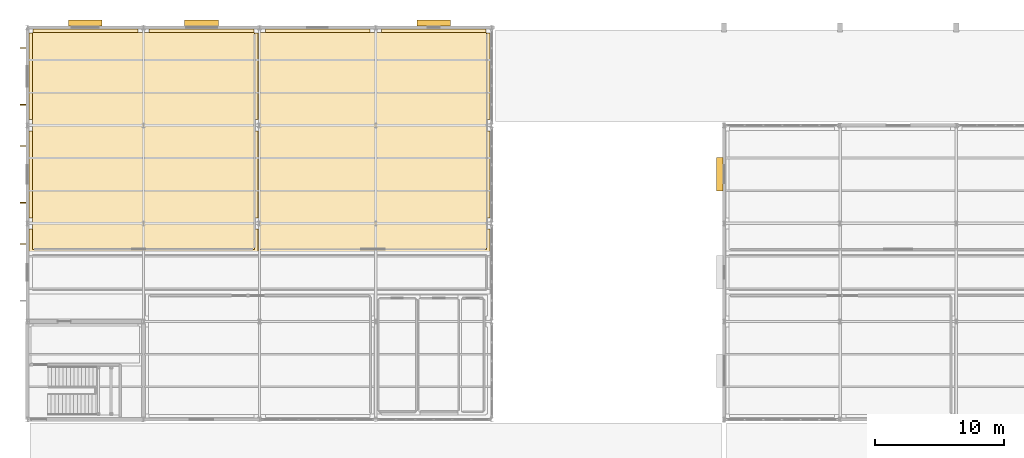
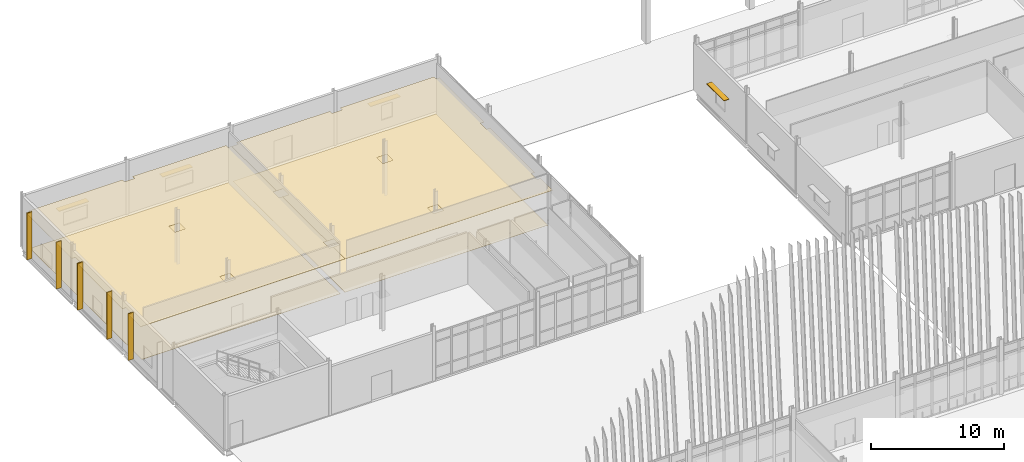
# One storey, part 157 of 161: 9 shading devices, 4 coverings.
"""IFC4 building model written with IfcOpenShell, lengths in metres."""

from ifc_helpers import new_model, si_unit, direction, frame, origin, origin_2d, place, context, subcontext, project, spatial, polyline, rectangle, outline, extrude, material, layer, layer_set, type_object, element, save


model = new_model("IFC4")

# Units and contexts
model_context = context("Model", 3, precision=1e-05, world=origin(), true_north=direction((0.0, 1.0)))
body_context = subcontext(model_context, "Body", "Model", "MODEL_VIEW")
ifc_project = project(units=[si_unit("LENGTHUNIT", "METRE"), si_unit("AREAUNIT", "SQUARE_METRE"), si_unit("VOLUMEUNIT", "CUBIC_METRE"), si_unit("PLANEANGLEUNIT", "RADIAN"), si_unit("MASSUNIT", "GRAM", prefix="KILO")], contexts=[model_context])

# Site, building, storey
site_placement = place(None, origin())
site = spatial("IfcSite", under=ifc_project, at=site_placement, CompositionType="ELEMENT")
building_placement = place(site_placement, origin())
building = spatial("IfcBuilding", under=site, at=building_placement, Name="Caisbarro Railhouse Central Library", CompositionType="ELEMENT")
storey_placement = place(building_placement, origin())
storey = spatial("IfcBuildingStorey", under=building, at=storey_placement, Name="L00", CompositionType="ELEMENT", Elevation=0.0)

# Coverings
ifc_material_1 = material(Name="Perforated mineral-fibre acoustic ceiling tile")
ifc_layer_1 = layer(ifc_material_1, 0.01806640625, Name="Perforated mineral-fibre acoustic ceiling tile")
ifc_layer_set_1 = layer_set([ifc_layer_1], Name="Perforated mineral-fibre acoustic ceiling tile")
covering_type_1 = type_object("IfcCoveringType", Name="COV-CL01", PredefinedType="CEILING", material=ifc_layer_set_1)
covering_1_placement = place(storey_placement, frame((0.0, 0.0, 3.25)))
element("IfcCovering", 1, at=covering_1_placement, inside=storey, type_object=covering_type_1, Name="CL01 acoustic ceiling Storytelling Amphitheatre Room", PredefinedType="CEILING", context=body_context, shape_type="SweptSolid", body=[
    extrude(outline(polyline([(17.739990234375, 113.56005859375), (18.43994140625, 113.56005859375), (18.43994140625, 113.860107421875), (26.56005859375, 113.860107421875), (26.56005859375, 113.56005859375), (27.43994140625, 113.56005859375), (27.43994140625, 113.860107421875), (35.56005859375, 113.860107421875), (35.56005859375, 113.56005859375), (35.860107421875, 113.56005859375), (35.860107421875, 106.840087890625), (35.56005859375, 106.840087890625), (35.56005859375, 105.9599609375), (35.860107421875, 105.9599609375), (35.860107421875, 99.239990234375), (35.56005859375, 99.239990234375), (35.56005859375, 98.360107421875), (35.860107421875, 98.360107421875), (35.860107421875, 96.5400390625), (17.739990234375, 96.5400390625), (17.739990234375, 98.360107421875), (18.43994140625, 98.360107421875), (18.43994140625, 99.239990234375), (17.739990234375, 99.239990234375), (17.739990234375, 105.9599609375), (18.43994140625, 105.9599609375), (18.43994140625, 106.840087890625), (17.739990234375, 106.840087890625), (17.739990234375, 113.56005859375)]), holes=[polyline([(26.56005859375, 99.239990234375), (26.56005859375, 98.360107421875), (27.43994140625, 98.360107421875), (27.43994140625, 99.239990234375), (26.56005859375, 99.239990234375)]), polyline([(27.43994140625, 106.840087890625), (26.56005859375, 106.840087890625), (26.56005859375, 105.9599609375), (27.43994140625, 105.9599609375), (27.43994140625, 106.840087890625)])]), origin(), (0.0, 0.0, 1.0), 0.01806640625),
])
ifc_material_2 = material(Name="Slatted acoustic timber baffle ceiling", Category="wood")
ifc_layer_2 = layer(ifc_material_2, 0.031982421875, Name="Slatted acoustic timber baffle ceiling")
ifc_layer_set_2 = layer_set([ifc_layer_2], Name="Slatted acoustic timber baffle ceiling")
covering_type_2 = type_object("IfcCoveringType", Name="COV-CL02", PredefinedType="CEILING", material=ifc_layer_set_2)
covering_2_placement = place(storey_placement, frame((0.0, 0.0, 3.25)))
element("IfcCovering", 2, at=covering_2_placement, inside=storey, type_object=covering_type_2, Name="CL02 acoustic ceiling Children Reading Hall", PredefinedType="CEILING", context=body_context, shape_type="SweptSolid", body=[
    extrude(outline(polyline([(0.139892578125, 113.56005859375), (0.43994140625, 113.56005859375), (0.43994140625, 113.860107421875), (8.56005859375, 113.860107421875), (8.56005859375, 113.56005859375), (9.43994140625, 113.56005859375), (9.43994140625, 113.860107421875), (17.56005859375, 113.860107421875), (17.56005859375, 113.56005859375), (17.860107421875, 113.56005859375), (17.860107421875, 106.840087890625), (17.56005859375, 106.840087890625), (17.56005859375, 105.9599609375), (17.860107421875, 105.9599609375), (17.860107421875, 99.239990234375), (17.56005859375, 99.239990234375), (17.56005859375, 98.360107421875), (17.860107421875, 98.360107421875), (17.860107421875, 96.5400390625), (0.139892578125, 96.5400390625), (0.139892578125, 98.360107421875), (0.43994140625, 98.360107421875), (0.43994140625, 99.239990234375), (0.139892578125, 99.239990234375), (0.139892578125, 105.9599609375), (0.43994140625, 105.9599609375), (0.43994140625, 106.840087890625), (0.139892578125, 106.840087890625), (0.139892578125, 113.56005859375)]), holes=[polyline([(8.56005859375, 99.239990234375), (8.56005859375, 98.360107421875), (9.43994140625, 98.360107421875), (9.43994140625, 99.239990234375), (8.56005859375, 99.239990234375)]), polyline([(9.43994140625, 106.840087890625), (8.56005859375, 106.840087890625), (8.56005859375, 105.9599609375), (9.43994140625, 105.9599609375), (9.43994140625, 106.840087890625)])]), origin(), (0.0, 0.0, 1.0), 0.031982421875),
])
ifc_material_3 = material(Name="Polished cementitious terrazzo flooring")
ifc_layer_3 = layer(ifc_material_3, 0.02197265625, Name="Polished cementitious terrazzo flooring")
ifc_layer_set_3 = layer_set([ifc_layer_3], Name="Polished cementitious terrazzo flooring")
covering_type_3 = type_object("IfcCoveringType", Name="COV-FL01", PredefinedType="FLOORING", material=ifc_layer_set_3)
covering_3_placement = place(storey_placement, origin())
element("IfcCovering", 3, at=covering_3_placement, inside=storey, type_object=covering_type_3, Name="FL01 flooring Children Reading Hall", PredefinedType="FLOORING", context=body_context, shape_type="SweptSolid", body=[
    extrude(outline(polyline([(0.39990234375, 96.800048828125), (17.60009765625, 96.800048828125), (17.60009765625, 113.60009765625), (0.39990234375, 113.60009765625), (0.39990234375, 96.800048828125)])), origin(), (0.0, 0.0, 1.0), 0.02197265625),
])
ifc_material_4 = material(Name="Heavy-duty acoustic linoleum flooring")
ifc_layer_4 = layer(ifc_material_4, 0.011962890625, Name="Heavy-duty acoustic linoleum flooring")
ifc_layer_set_4 = layer_set([ifc_layer_4], Name="Heavy-duty acoustic linoleum flooring")
covering_type_4 = type_object("IfcCoveringType", Name="COV-FL02", PredefinedType="FLOORING", material=ifc_layer_set_4)
covering_4_placement = place(storey_placement, origin())
element("IfcCovering", 4, at=covering_4_placement, inside=storey, type_object=covering_type_4, Name="FL02 flooring Storytelling Amphitheatre Room", PredefinedType="FLOORING", context=body_context, shape_type="SweptSolid", body=[
    extrude(outline(polyline([(18.0, 96.800048828125), (35.60009765625, 96.800048828125), (35.60009765625, 113.60009765625), (18.0, 113.60009765625), (18.0, 96.800048828125)])), origin(), (0.0, 0.0, 1.0), 0.011962890625),
])

# Shading devices
ifc_material_5 = material(Name="White powder-coated aluminium", Category="aluminium")
shading_device_type_1 = type_object("IfcShadingDeviceType", Name="SHD-FIN01", PredefinedType="USERDEFINED", material=ifc_material_5)
for number, where, z_axis, x_axis, name in (
    (5, (-0.340087890625, 97.199951171875, 0.02490234375), (0.0, 0.0, 1.0), (1.0, 0.0, 0.0), "SFN1 West Solar Fin L00-11"),
    (6, (-0.340087890625, 100.39990234375, 0.02490234375), (0.0, 0.0, 1.0), (1.0, 0.0, 0.0), "SFN1 West Solar Fin L00-12"),
    (7, (-0.340087890625, 104.800048828125, 0.02490234375), (0.0, 0.0, 1.0), (1.0, 0.0, 0.0), "SFN1 West Solar Fin L00-13"),
    (8, (-0.340087890625, 108.0, 0.02490234375), (0.0, 0.0, 1.0), (1.0, 0.0, 0.0), "SFN1 West Solar Fin L00-14"),
    (9, (-0.340087890625, 112.39990234375, 0.02490234375), (0.0, 0.0, 1.0), (1.0, 0.0, 0.0), "SFN1 West Solar Fin L00-15"),
):
    element("IfcShadingDevice", number, at=place(storey_placement, frame(where, z_axis=z_axis, x_axis=x_axis)), inside=storey, type_object=shading_device_type_1, Name=name, ObjectType="FIN", PredefinedType="USERDEFINED", context=body_context, shape_type="SweptSolid", body=[
        extrude(rectangle(XDim=0.4599609375, YDim=0.06005859375, at=origin_2d()), origin(), (0.0, 0.0, 1.0), 4.300048828125),
    ])
ifc_material_6 = material(Name="Anodised architectural aluminium", Category="aluminium")
ifc_layer_5 = layer(ifc_material_6, 0.050048828125, Name="Anodised architectural aluminium")
ifc_layer_set_5 = layer_set([ifc_layer_5], Name="Anodised architectural aluminium")
shading_device_type_2 = type_object("IfcShadingDeviceType", Name="SHD-JAL01", PredefinedType="JALOUSIE", material=ifc_layer_set_5)
for number, where, z_axis, x_axis, name in (
    (10, (4.5, 114.330078125, 2.0849609375), (0.0, 0.0, 1.0), (1.0, 0.0, 0.0), "JL01 solar brise-soleil L00-07"),
    (11, (13.5, 114.330078125, 2.0849609375), (0.0, 0.0, 1.0), (1.0, 0.0, 0.0), "JL01 solar brise-soleil L00-08"),
    (12, (31.5, 114.330078125, 2.23486328125), (0.0, 0.0, 1.0), (1.0, 0.0, 0.0), "JL01 solar brise-soleil L00-09"),
    (13, (53.669921875, 102.60009765625, 2.384765625), (0.0, 0.0, 1.0), (0.0, 1.0, 0.0), "JL01 solar brise-soleil L00-45"),
):
    element("IfcShadingDevice", number, at=place(storey_placement, frame(where, z_axis=z_axis, x_axis=x_axis)), inside=storey, type_object=shading_device_type_2, Name=name, PredefinedType="JALOUSIE", context=body_context, shape_type="SweptSolid", body=[
        extrude(rectangle(XDim=2.60009765625, YDim=0.47998046875, at=origin_2d()), origin(), (0.0, 0.0, 1.0), 0.050048828125),
    ])

save(model, "model.ifc")
